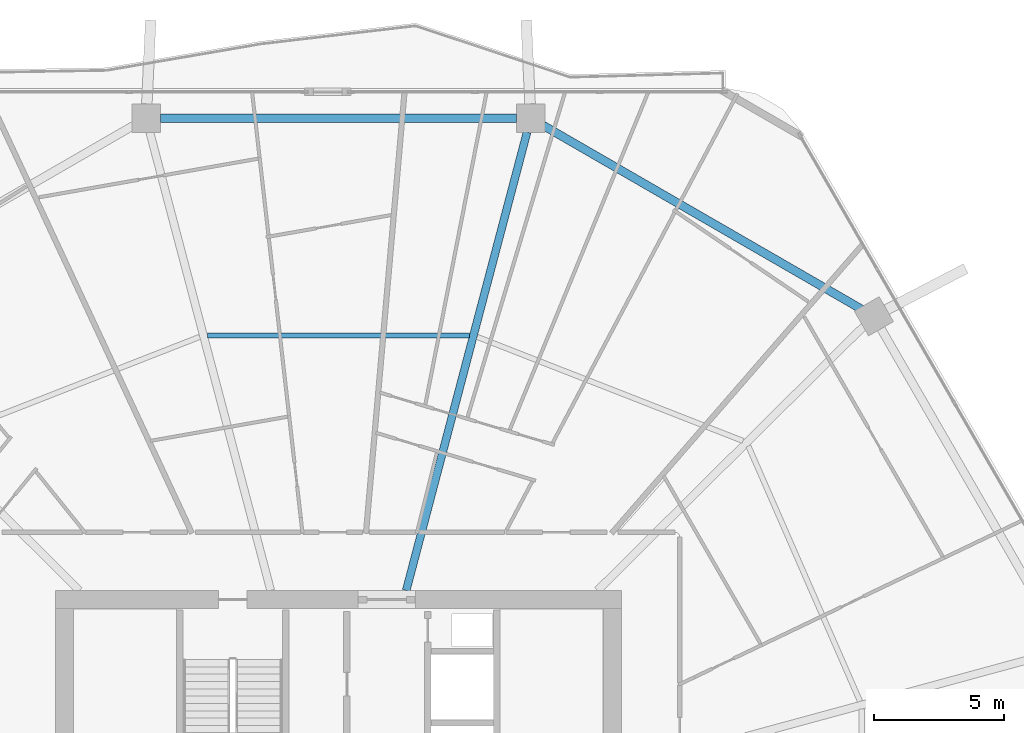
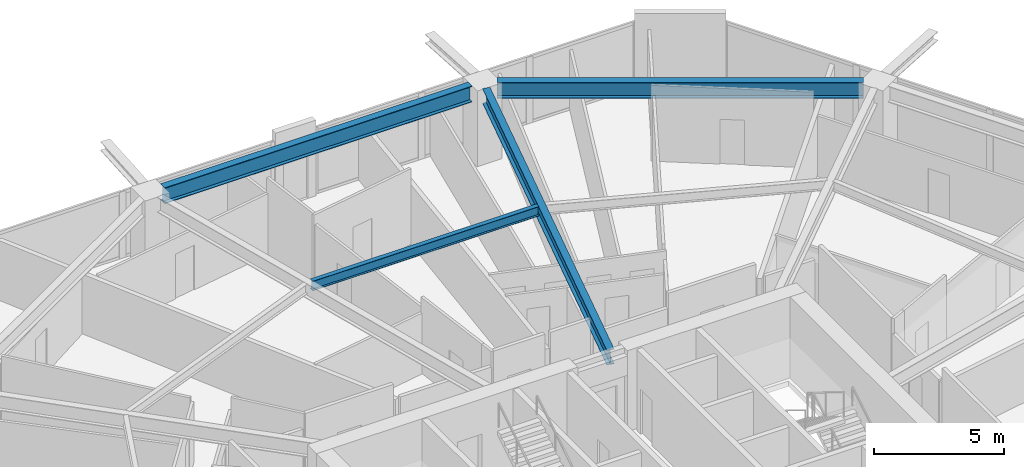
# One storey, part 19 of 33: 4 beams.
"""IFC4 building model written with IfcOpenShell, lengths in metres."""

from ifc_helpers import new_model, si_unit, direction, frame, origin, origin_2d, place, context, subcontext, project, spatial, i_section, extrude, material, material_profile, profile_set, type_object, element, save


model = new_model("IFC4")

# Units and contexts
model_context = context("Model", 3, precision=1e-05, world=origin(), true_north=direction((0.0, 1.0)))
body_context = subcontext(model_context, "Body", "Model", "MODEL_VIEW")
ifc_project = project(units=[si_unit("LENGTHUNIT", "METRE"), si_unit("AREAUNIT", "SQUARE_METRE"), si_unit("VOLUMEUNIT", "CUBIC_METRE"), si_unit("PLANEANGLEUNIT", "RADIAN"), si_unit("MASSUNIT", "GRAM", prefix="KILO")], contexts=[model_context])

# Site, building, storey
site_placement = place(None, origin())
site = spatial("IfcSite", under=ifc_project, at=site_placement, CompositionType="ELEMENT")
building_placement = place(site_placement, origin())
building = spatial("IfcBuilding", under=site, at=building_placement, Name="Zuhravey Tower", CompositionType="ELEMENT")
storey_placement = place(building_placement, frame((0.0, 0.0, 126.60009765625)))
storey = spatial("IfcBuildingStorey", under=building, at=storey_placement, Name="L31", CompositionType="ELEMENT", Elevation=126.60009765625)

# Beams
ifc_material = material(Name="Steel SM355", Category="steel")
ifc_material_profile_1 = material_profile(ifc_material, i_section(OverallWidth=0.320068359375, OverallDepth=0.75, WebThickness=0.013916015625, FlangeThickness=0.02490234375, at=origin_2d()), Name="H-750x320x14x25")
ifc_profile_set_1 = profile_set([ifc_material_profile_1], Name="Steel SM355")
beam_type_1 = type_object("IfcBeamType", Name="Perimeter Ring Beam H750x320", PredefinedType="BEAM", material=ifc_profile_set_1)
beam_1_placement = place(storey_placement, frame((56.0400390625, 52.63330078125, 3.1748046875), z_axis=(-0.866017786538, 0.500013193225, 0.0), x_axis=(-0.500013193225, -0.866017786538, 0.0)))
element("IfcBeam", 1, at=beam_1_placement, inside=storey, type_object=beam_type_1, Name="L31 PB1 BM-L31-PB-02", PredefinedType="BEAM", context=body_context, shape_type="SweptSolid", body=[
    extrude(i_section(OverallWidth=0.320068359375, OverallDepth=0.75, WebThickness=0.013916015625, FlangeThickness=0.02490234375, at=origin_2d()), origin(), (0.0, 0.0, 1.0), 14.0771484375),
])
beam_2_placement = place(storey_placement, frame((42.81689453125, 59.948486328125, 3.1748046875), z_axis=(-1.0, 0.0, 0.0), x_axis=(0.0, -1.0, 0.0)))
element("IfcBeam", 2, at=beam_2_placement, inside=storey, type_object=beam_type_1, Name="L31 PB1 BM-L31-PB-03", PredefinedType="BEAM", context=body_context, shape_type="SweptSolid", body=[
    extrude(i_section(OverallWidth=0.320068359375, OverallDepth=0.75, WebThickness=0.013916015625, FlangeThickness=0.02490234375, at=origin_2d()), origin(), (0.0, 0.0, 1.0), 13.6337890625),
])
ifc_material_profile_2 = material_profile(ifc_material, i_section(OverallWidth=0.300048828125, OverallDepth=0.699951171875, WebThickness=0.012939453125, FlangeThickness=0.02392578125, at=origin_2d()), Name="H-700x300x13x24")
ifc_profile_set_2 = profile_set([ifc_material_profile_2], Name="Steel SM355")
beam_type_2 = type_object("IfcBeamType", Name="Radial Primary Girder H700x300", PredefinedType="BEAM", material=ifc_profile_set_2)
beam_3_placement = place(storey_placement, frame((38.59814453125, 41.85302734375, 3.199951171875), z_axis=(0.25498755891, 0.966944333869, 0.0), x_axis=(-0.966944333869, 0.25498755891, 0.0)))
element("IfcBeam", 3, at=beam_3_placement, inside=storey, type_object=beam_type_2, Name="L31 RG1 BM-L31-RAD-03", PredefinedType="BEAM", context=body_context, shape_type="SweptSolid", body=[
    extrude(i_section(OverallWidth=0.300048828125, OverallDepth=0.699951171875, WebThickness=0.012939453125, FlangeThickness=0.02392578125, at=origin_2d()), origin(), (0.0, 0.0, 1.0), 18.1611328125),
])
ifc_material_profile_3 = material_profile(ifc_material, i_section(OverallWidth=0.199951171875, OverallDepth=0.449951171875, WebThickness=0.009033203125, FlangeThickness=0.013916015625, at=origin_2d()), Name="H-450x200x9x14")
ifc_profile_set_3 = profile_set([ifc_material_profile_3], Name="Steel SM355")
beam_type_3 = type_object("IfcBeamType", Name="Secondary Floor Joist H450x200", PredefinedType="JOIST", material=ifc_profile_set_3)
beam_4_placement = place(storey_placement, frame((41.02099609375, 51.62451171875, 3.324951171875), z_axis=(-1.0, 0.0, 0.0), x_axis=(0.0, -1.0, 0.0)))
element("IfcBeam", 4, at=beam_4_placement, inside=storey, type_object=beam_type_3, Name="L31 SJ1 BM-L31-SJ-03-1", PredefinedType="JOIST", context=body_context, shape_type="SweptSolid", body=[
    extrude(i_section(OverallWidth=0.199951171875, OverallDepth=0.449951171875, WebThickness=0.009033203125, FlangeThickness=0.013916015625, at=origin_2d()), origin(), (0.0, 0.0, 1.0), 10.0419921875),
])

save(model, "model.ifc")
